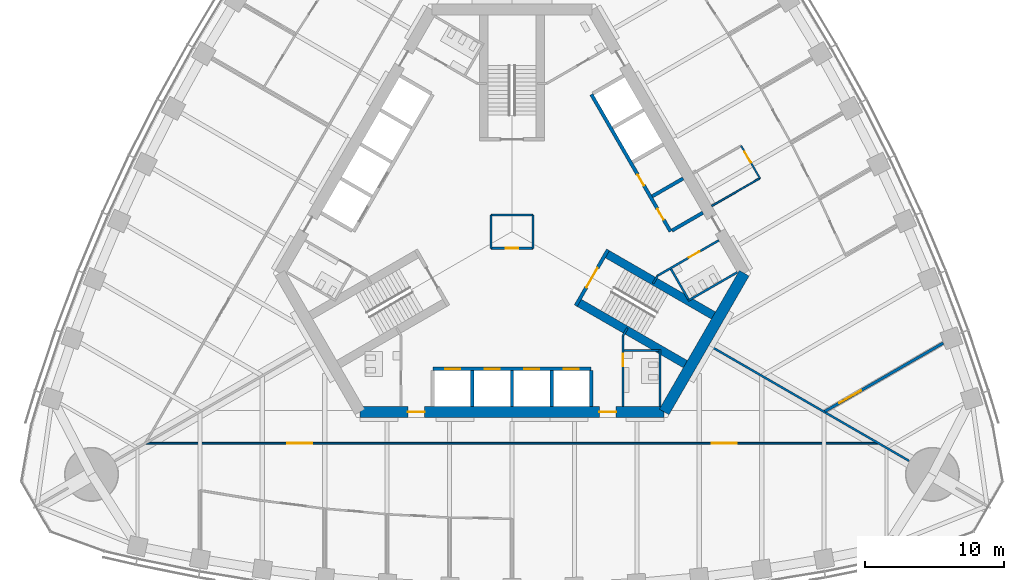
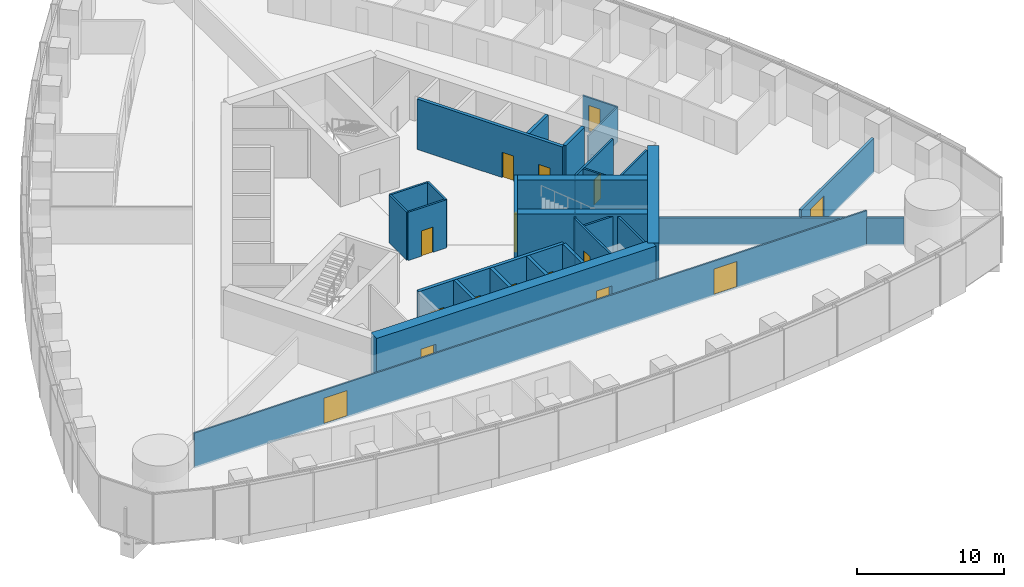
# One storey, part 12 of 19: 30 walls, 16 doors, 16 openings.
"""IFC4 building model written with IfcOpenShell, lengths in metres."""

import ifcopenshell
import ifcopenshell.guid

model = None  # the IFC model being written
_history = None  # IfcOwnerHistory: only IFC2X3 demands one
_inside = {}  # id of a spatial element -> (the spatial element, [elements in it])
_under = {}  # id of a project, library or spatial element -> (it, [spatial elements below it])
_declared = {}  # id of a project -> (the project, [libraries it declares])
_typed = {}  # id of a type object -> (the type object, [elements of that type])
_made_of = {}  # id of a material, layer set ... -> (it, [elements and type objects made of it])


def new_model(schema):
    """Start an empty IFC model of exactly this schema.

    Asked for "IFC4X3", IfcOpenShell would pick the latest addendum, in which some entities
    have other attributes; the version numbers below select the first issue.
    IFC2X3 requires an IfcOwnerHistory on every rooted entity: one is made here for all.
    """
    global model, _history
    if schema == "IFC4X3":
        model = ifcopenshell.file(schema_version=(4, 3, 0, 0))
    else:
        model = ifcopenshell.file(schema=schema)
    _inside.clear()
    _under.clear()
    _declared.clear()
    _typed.clear()
    _made_of.clear()
    _history = None
    if model.schema == "IFC2X3":
        org = make("IfcOrganization", Name="unknown")
        user = make(
            "IfcPersonAndOrganization",
            ThePerson=make("IfcPerson", FamilyName="unknown"),
            TheOrganization=org,
        )
        app = make(
            "IfcApplication",
            ApplicationDeveloper=org,
            Version="unknown",
            ApplicationFullName="unknown",
            ApplicationIdentifier="unknown",
        )
        _history = make(
            "IfcOwnerHistory",
            OwningUser=user,
            OwningApplication=app,
            ChangeAction="ADDED",
            CreationDate=0,
        )
    return model


def make(cls, **values):
    """One entity of the class cls with the attributes given. An attribute that is None is left unset."""
    return model.create_entity(
        cls, **{name: value for name, value in values.items() if value is not None}
    )


def rooted(cls, **values):
    """An entity with a GlobalId (a new one), such as an element, a storey or a relation."""
    return make(cls, GlobalId=ifcopenshell.guid.new(), OwnerHistory=_history, **values)


def si_unit(unit_type, name, prefix=None):
    """IfcSIUnit, for example si_unit("LENGTHUNIT", "METRE", prefix="MILLI")."""
    return make("IfcSIUnit", UnitType=unit_type, Prefix=prefix, Name=name)


def assignment(units):
    """IfcUnitAssignment: the units of a project."""
    return None if units is None else make("IfcUnitAssignment", Units=units)


def point(xyz):
    """IfcCartesianPoint."""
    return None if xyz is None else make("IfcCartesianPoint", Coordinates=xyz)


def direction(xyz):
    """IfcDirection."""
    return None if xyz is None else make("IfcDirection", DirectionRatios=xyz)


def frame(location, z_axis=None, x_axis=None):
    """IfcAxis2Placement3D, a coordinate frame: its origin and axes. An axis left out is left unset."""
    return make(
        "IfcAxis2Placement3D",
        Location=point(location),
        Axis=direction(z_axis),
        RefDirection=direction(x_axis),
    )


def frame_2d(location, x_axis=None):
    """IfcAxis2Placement2D, a coordinate frame in the plane: its origin and x axis."""
    return make(
        "IfcAxis2Placement2D", Location=point(location), RefDirection=direction(x_axis)
    )


def origin():
    """The frame at (0, 0, 0) with its axes left unset."""
    return frame((0.0, 0.0, 0.0))


def place(relative_to, where):
    """IfcLocalPlacement: puts the frame where relative to a parent placement (None: the world)."""
    return make(
        "IfcLocalPlacement", PlacementRelTo=relative_to, RelativePlacement=where
    )


def context(
    kind, dimensions, precision=None, world=None, true_north=None, identifier=None
):
    """IfcGeometricRepresentationContext, for example the 3D "Model" context."""
    return make(
        "IfcGeometricRepresentationContext",
        ContextIdentifier=identifier,
        ContextType=kind,
        CoordinateSpaceDimension=dimensions,
        Precision=precision,
        WorldCoordinateSystem=world,
        TrueNorth=true_north,
    )


def subcontext(parent, identifier, kind, view, scale=None):
    """IfcGeometricRepresentationSubContext, for example "Body" below "Model"."""
    return make(
        "IfcGeometricRepresentationSubContext",
        ContextIdentifier=identifier,
        ContextType=kind,
        ParentContext=parent,
        TargetScale=scale,
        TargetView=view,
    )


def project(units=None, contexts=None):
    """IfcProject with its units and contexts."""
    return rooted(
        "IfcProject",
        Name="project",
        RepresentationContexts=contexts,
        UnitsInContext=assignment(units),
    )


def spatial(cls, under=None, at=None, **own):
    """A site, building, storey or space (cls), placed at a placement, below another one or the project."""
    s = rooted(cls, ObjectPlacement=at, **own)
    if under is not None:
        _under.setdefault(under.id(), (under, []))[1].append(s)
    return s


def profile(cls, at=None, kind="AREA", **sizes):
    """A parametric profile (cls). Its sizes go by their IFC names, for example OverallWidth=200.0."""
    return make(cls, ProfileType=kind, Position=at, **sizes)


def rectangle(**sizes):
    """IfcRectangleProfileDef."""
    return profile("IfcRectangleProfileDef", **sizes)


def extrude(swept, where, along, depth):
    """IfcExtrudedAreaSolid: the profile swept, set in the frame where, extruded along a direction by depth."""
    return make(
        "IfcExtrudedAreaSolid",
        SweptArea=swept,
        Position=where,
        ExtrudedDirection=direction(along),
        Depth=depth,
    )


def shape(context_of_items, identifier, shape_type, items):
    """IfcShapeRepresentation: the items that make up one representation, for example the "Body"."""
    return make(
        "IfcShapeRepresentation",
        ContextOfItems=context_of_items,
        RepresentationIdentifier=identifier,
        RepresentationType=shape_type,
        Items=items,
    )


def material(Name=None, Category=None):
    """IfcMaterial."""
    return make("IfcMaterial", Name=Name, Category=Category)


def layer(
    of_material, thickness, ventilated=None, Name=None, Category=None, Priority=None
):
    """IfcMaterialLayer: one layer of a wall or slab, of a material (None: an air gap)."""
    return make(
        "IfcMaterialLayer",
        Material=of_material,
        LayerThickness=thickness,
        IsVentilated=ventilated,
        Name=Name,
        Category=Category,
        Priority=Priority,
    )


def layer_set(layers, Name=None):
    """IfcMaterialLayerSet."""
    return make("IfcMaterialLayerSet", MaterialLayers=layers, LayerSetName=Name)


def made_of(thing, what):
    """Note that an element or type object is made of a material, layer set ...; save() writes the relation."""
    if what is not None:
        _made_of.setdefault(what.id(), (what, []))[1].append(thing)
    return thing


def type_object(cls, material=None, **own):
    """A type object (cls), such as IfcWallType, which elements share."""
    return made_of(rooted(cls, **own), material)


def element(
    cls,
    number,
    at=None,
    inside=None,
    cuts=None,
    type_object=None,
    material=None,
    context=None,
    identifier="Body",
    shape_type=None,
    held_by="IfcProductDefinitionShape",
    body=None,
    shapes=None,
    **own,
):
    """One element of the class cls, such as IfcWall. Its Tag is "e" and its number.

    at: its placement. inside: the storey or other place that contains it. cuts: it is an
    opening in that element (IfcRelVoidsElement). A single representation is given by context,
    identifier, shape_type and body (its items); several are given by shapes. held_by: the class
    of the entity that holds the representations. save() writes the other relations.
    """
    e = rooted(cls, Tag="e%d" % number, ObjectPlacement=at, **own)
    if body is not None:
        shapes = [shape(context, identifier, shape_type, body)]
    if shapes is not None:
        e.Representation = make(held_by, Representations=shapes)
    if inside is not None:
        _inside.setdefault(inside.id(), (inside, []))[1].append(e)
    if cuts is not None:
        rooted(
            "IfcRelVoidsElement", RelatingBuildingElement=cuts, RelatedOpeningElement=e
        )
    if type_object is not None:
        _typed.setdefault(type_object.id(), (type_object, []))[1].append(e)
    return made_of(e, material)


def fill(opening, filler):
    """IfcRelFillsElement: the door or window that sits in an opening."""
    return rooted(
        "IfcRelFillsElement",
        RelatingOpeningElement=opening,
        RelatedBuildingElement=filler,
    )


def aggregate(whole, parts):
    """IfcRelAggregates: a whole, such as a stair, and the parts it consists of."""
    return rooted("IfcRelAggregates", RelatingObject=whole, RelatedObjects=parts)


def save(model, path):
    """Write the relations noted so far, then the file.

    IfcRelAggregates (storeys below a building ...), IfcRelContainedInSpatialStructure (elements
    in a storey), IfcRelDefinesByType, IfcRelAssociatesMaterial and IfcRelDeclares: one each for
    every whole, place, type object, material and project.
    """
    for whole, parts in _under.values():
        aggregate(whole, parts)
    for where, things in _inside.values():
        rooted(
            "IfcRelContainedInSpatialStructure",
            RelatedElements=things,
            RelatingStructure=where,
        )
    for kind, things in _typed.values():
        rooted("IfcRelDefinesByType", RelatedObjects=things, RelatingType=kind)
    for what, things in _made_of.values():
        rooted("IfcRelAssociatesMaterial", RelatedObjects=things, RelatingMaterial=what)
    for by, libraries in _declared.values():
        rooted("IfcRelDeclares", RelatingContext=by, RelatedDefinitions=libraries)
    model.write(path)


model = new_model("IFC4")

# Units and contexts
model_context = context("Model", 3, precision=1e-05, world=origin(), true_north=direction((0.0, 1.0)))
body_context = subcontext(model_context, "Body", "Model", "MODEL_VIEW")
ifc_project = project(units=[si_unit("LENGTHUNIT", "METRE"), si_unit("AREAUNIT", "SQUARE_METRE"), si_unit("VOLUMEUNIT", "CUBIC_METRE"), si_unit("PLANEANGLEUNIT", "RADIAN"), si_unit("MASSUNIT", "GRAM", prefix="KILO")], contexts=[model_context])

# Site, building, storey
site_placement = place(None, origin())
site = spatial("IfcSite", under=ifc_project, at=site_placement, CompositionType="ELEMENT")
building_placement = place(site_placement, origin())
building = spatial("IfcBuilding", under=site, at=building_placement, Name="Trefoil Bronze Tower", CompositionType="ELEMENT")
storey_placement = place(building_placement, frame((0.0, 0.0, 136.699951171875)))
storey = spatial("IfcBuildingStorey", under=building, at=storey_placement, Name="L31", CompositionType="ELEMENT", Elevation=136.699951171875)

# Wall, opening, door
ifc_material_1 = material(Name="Gypsum board on steel studs", Category="steel")
ifc_layer_1 = layer(ifc_material_1, 0.199951171875)
ifc_layer_set_1 = layer_set([ifc_layer_1], Name="Acoustic partition 200")
wall_type_1 = type_object("IfcWallType", Name="Acoustic partition 200", PredefinedType="PARTITIONING", material=ifc_layer_set_1)
wall_1_placement = place(storey_placement, frame((22.552978515625, -12.959716796875, 0.0), z_axis=(0.0, 0.0, 1.0), x_axis=(0.86603204091, 0.499988503985, 0.0)))
wall_1 = element("IfcWall", 1, at=wall_1_placement, inside=storey, type_object=wall_type_1, Name="Partition F2 L31", PredefinedType="PARTITIONING", context=body_context, shape_type="SweptSolid", body=[
    extrude(rectangle(XDim=9.849853515625, YDim=0.199951171875, at=frame_2d((4.9248046875, 0.0))), origin(), (0.0, 0.0, 1.0), 2.900146484375),
])
opening_1_placement = place(wall_1_placement, frame((1.199951171875, 0.0, 0.14990234375)))
opening_1 = element("IfcOpeningElement", 2, at=opening_1_placement, cuts=wall_1, Name="Opening D10", PredefinedType="OPENING", context=body_context, shape_type="SweptSolid", body=[
    extrude(rectangle(XDim=1.800048828125, YDim=2.10009765625, at=frame_2d((0.89990234375, 1.050048828125))), frame((0.0, 0.10986328125, 0.0), z_axis=(0.0, -1.0, 0.0), x_axis=(1.0, 0.0, 0.0)), (0.0, 0.0, 1.0), 0.219970703125),
])
ifc_material_2 = material(Name="Timber door", Category="wood")
door_type_1 = type_object("IfcDoorType", Name="Double door 1800", OperationType="DOUBLE_DOOR_SINGLE_SWING", PredefinedType="DOOR", material=ifc_material_2)
door_1_placement = place(opening_1_placement, frame((1.800048828125, 0.0, 0.0), z_axis=(0.0, 0.0, 1.0), x_axis=(-1.0, 0.0, 0.0)))
door_1 = element("IfcDoor", 3, at=door_1_placement, inside=storey, type_object=door_type_1, Name="Boardroom door F2 L31", OperationType="DOUBLE_DOOR_SINGLE_SWING", OverallHeight=2.10009765625, OverallWidth=1.800048828125, PredefinedType="DOOR", context=body_context, shape_type="SweptSolid", body=[
    extrude(rectangle(XDim=1.800048828125, YDim=2.10009765625, at=frame_2d((0.89990234375, 1.050048828125))), frame((0.0, 0.02490234375, 0.0), z_axis=(0.0, -1.0, 0.0), x_axis=(1.0, 0.0, 0.0)), (0.0, 0.0, 1.0), 0.050048828125),
])
fill(opening_1, door_1)

# Wall, openings, doors
ifc_material_3 = material(Name="Concrete B80", Category="concrete")
ifc_layer_2 = layer(ifc_material_3, 0.800048828125)
ifc_layer_set_2 = layer_set([ifc_layer_2], Name="Core wall 800")
wall_type_2 = type_object("IfcWallType", Name="Core wall 800", PredefinedType="SHEAR", material=ifc_layer_set_2)
wall_2_placement = place(storey_placement, frame((-10.9697265625, -13.0, 0.0), z_axis=(0.0, 0.0, 1.0), x_axis=(1.0, 0.0, 0.0)))
wall_2 = element("IfcWall", 4, at=wall_2_placement, inside=storey, type_object=wall_type_2, Name="Core long wall 1 L31", PredefinedType="SHEAR", context=body_context, shape_type="SweptSolid", body=[
    extrude(rectangle(XDim=21.939453125, YDim=0.800048828125, at=frame_2d((10.9697265625, 0.0))), origin(), (0.0, 0.0, 1.0), 4.199951171875),
])
opening_2_placement = place(wall_2_placement, frame((17.269775390625, 0.0, 0.0)))
opening_2 = element("IfcOpeningElement", 5, at=opening_2_placement, cuts=wall_2, Name="Opening D2", PredefinedType="OPENING", context=body_context, shape_type="SweptSolid", body=[
    extrude(rectangle(XDim=1.199951171875, YDim=2.10009765625, at=frame_2d((0.60009765625, 1.050048828125))), frame((0.0, 0.409912109375, 0.0), z_axis=(0.0, -1.0, 0.0), x_axis=(1.0, 0.0, 0.0)), (0.0, 0.0, 1.0), 0.820068359375),
])
opening_3_placement = place(wall_2_placement, frame((3.4697265625, 0.0, 0.0)))
opening_3 = element("IfcOpeningElement", 6, at=opening_3_placement, cuts=wall_2, Name="Opening D2", PredefinedType="OPENING", context=body_context, shape_type="SweptSolid", body=[
    extrude(rectangle(XDim=1.199951171875, YDim=2.10009765625, at=frame_2d((0.60009765625, 1.050048828125))), frame((0.0, 0.409912109375, 0.0), z_axis=(0.0, -1.0, 0.0), x_axis=(1.0, 0.0, 0.0)), (0.0, 0.0, 1.0), 0.820068359375),
])
ifc_material_4 = material(Name="Steel door", Category="steel")
door_type_2 = type_object("IfcDoorType", Name="Lobby door 1200", OperationType="SINGLE_SWING_RIGHT", PredefinedType="DOOR", material=ifc_material_4)
door_2_placement = place(opening_2_placement, origin())
door_2 = element("IfcDoor", 7, at=door_2_placement, inside=storey, type_object=door_type_2, Name="Lobby door F1+ L31", OperationType="SINGLE_SWING_RIGHT", OverallHeight=2.10009765625, OverallWidth=1.199951171875, PredefinedType="DOOR", context=body_context, shape_type="SweptSolid", body=[
    extrude(rectangle(XDim=1.199951171875, YDim=2.10009765625, at=frame_2d((0.60009765625, 1.050048828125))), frame((0.0, 0.02490234375, 0.0), z_axis=(0.0, -1.0, 0.0), x_axis=(1.0, 0.0, 0.0)), (0.0, 0.0, 1.0), 0.050048828125),
])
fill(opening_2, door_2)
door_3_placement = place(opening_3_placement, origin())
door_3 = element("IfcDoor", 8, at=door_3_placement, inside=storey, type_object=door_type_2, Name="Lobby door F1- L31", OperationType="SINGLE_SWING_LEFT", OverallHeight=2.10009765625, OverallWidth=1.199951171875, PredefinedType="DOOR", context=body_context, shape_type="SweptSolid", body=[
    extrude(rectangle(XDim=1.199951171875, YDim=2.10009765625, at=frame_2d((0.60009765625, 1.050048828125))), frame((0.0, 0.02490234375, 0.0), z_axis=(0.0, -1.0, 0.0), x_axis=(1.0, 0.0, 0.0)), (0.0, 0.0, 1.0), 0.050048828125),
])
fill(opening_3, door_3)

# Wall
wall_3_placement = place(storey_placement, frame((10.9697265625, -13.0, 0.0), z_axis=(0.0, 0.0, 1.0), x_axis=(0.499995765644, 0.866027848477, 0.0)))
element("IfcWall", 9, at=wall_3_placement, inside=storey, type_object=wall_type_2, Name="Core short wall 1 L31", PredefinedType="SHEAR", context=body_context, shape_type="SweptSolid", body=[
    extrude(rectangle(XDim=11.546875, YDim=0.800048828125, at=frame_2d((5.7734375, 0.0))), origin(), (0.0, 0.0, 1.0), 4.199951171875),
])

# Wall, openings, doors
ifc_material_5 = material(Name="Glazed partition", Category="glass")
ifc_layer_3 = layer(ifc_material_5, 0.1201171875)
ifc_layer_set_3 = layer_set([ifc_layer_3], Name="Glazed partition 120")
wall_type_3 = type_object("IfcWallType", Name="Glazed partition 120", PredefinedType="PARTITIONING", material=ifc_layer_set_3)
wall_4_placement = place(storey_placement, frame((-26.398193359375, -15.260009765625, 0.0), z_axis=(0.0, 0.0, 1.0), x_axis=(1.0, 0.0, 0.0)))
wall_4 = element("IfcWall", 10, at=wall_4_placement, inside=storey, type_object=wall_type_3, Name="Partition F1 L31", PredefinedType="PARTITIONING", context=body_context, shape_type="SweptSolid", body=[
    extrude(rectangle(XDim=52.79638671875, YDim=0.1201171875, at=frame_2d((26.398193359375, 0.0))), origin(), (0.0, 0.0, 1.0), 2.900146484375),
])
opening_4_placement = place(wall_4_placement, frame((10.199951171875, 0.0, 0.14990234375)))
opening_4 = element("IfcOpeningElement", 11, at=opening_4_placement, cuts=wall_4, Name="Opening D10", PredefinedType="OPENING", context=body_context, shape_type="SweptSolid", body=[
    extrude(rectangle(XDim=1.800048828125, YDim=2.10009765625, at=frame_2d((0.89990234375, 1.050048828125))), frame((0.0, 0.070068359375, 0.0), z_axis=(0.0, -1.0, 0.0), x_axis=(1.0, 0.0, 0.0)), (0.0, 0.0, 1.0), 0.14013671875),
])
opening_5_placement = place(wall_4_placement, frame((40.800048828125, 0.0, 0.14990234375)))
opening_5 = element("IfcOpeningElement", 12, at=opening_5_placement, cuts=wall_4, Name="Opening D10", PredefinedType="OPENING", context=body_context, shape_type="SweptSolid", body=[
    extrude(rectangle(XDim=1.800048828125, YDim=2.10009765625, at=frame_2d((0.89990234375, 1.050048828125))), frame((0.0, 0.070068359375, 0.0), z_axis=(0.0, -1.0, 0.0), x_axis=(1.0, 0.0, 0.0)), (0.0, 0.0, 1.0), 0.14013671875),
])
door_4_placement = place(opening_4_placement, origin())
door_4 = element("IfcDoor", 13, at=door_4_placement, inside=storey, type_object=door_type_1, Name="Corridor door F1 L31", OperationType="DOUBLE_DOOR_SINGLE_SWING", OverallHeight=2.10009765625, OverallWidth=1.800048828125, PredefinedType="DOOR", context=body_context, shape_type="SweptSolid", body=[
    extrude(rectangle(XDim=1.800048828125, YDim=2.10009765625, at=frame_2d((0.89990234375, 1.050048828125))), frame((0.0, 0.02490234375, 0.0), z_axis=(0.0, -1.0, 0.0), x_axis=(1.0, 0.0, 0.0)), (0.0, 0.0, 1.0), 0.050048828125),
])
fill(opening_4, door_4)
door_5_placement = place(opening_5_placement, origin())
door_5 = element("IfcDoor", 14, at=door_5_placement, inside=storey, type_object=door_type_1, Name="Corridor door F1 L31", OperationType="DOUBLE_DOOR_SINGLE_SWING", OverallHeight=2.10009765625, OverallWidth=1.800048828125, PredefinedType="DOOR", context=body_context, shape_type="SweptSolid", body=[
    extrude(rectangle(XDim=1.800048828125, YDim=2.10009765625, at=frame_2d((0.89990234375, 1.050048828125))), frame((0.0, 0.02490234375, 0.0), z_axis=(0.0, -1.0, 0.0), x_axis=(1.0, 0.0, 0.0)), (0.0, 0.0, 1.0), 0.050048828125),
])
fill(opening_5, door_5)

# Wall, opening, door
wall_5_placement = place(storey_placement, frame((17.868896484375, 3.850341796875, 0.0), z_axis=(0.0, 0.0, 1.0), x_axis=(-0.500048589285, 0.86599734893, 0.0)))
wall_5 = element("IfcWall", 15, at=wall_5_placement, inside=storey, type_object=wall_type_3, Name="Partition F2 L31", PredefinedType="PARTITIONING", context=body_context, shape_type="SweptSolid", body=[
    extrude(rectangle(XDim=2.699951171875, YDim=0.1201171875, at=frame_2d((1.35009765625, 0.0))), origin(), (0.0, 0.0, 1.0), 2.900146484375),
])
opening_6_placement = place(wall_5_placement, frame((1.300048828125, 0.0, 0.14990234375)))
opening_6 = element("IfcOpeningElement", 16, at=opening_6_placement, cuts=wall_5, Name="Opening D8", PredefinedType="OPENING", context=body_context, shape_type="SweptSolid", body=[
    extrude(rectangle(XDim=0.89990234375, YDim=2.10009765625, at=frame_2d((0.449951171875, 1.050048828125))), frame((0.0, 0.070068359375, 0.0), z_axis=(0.0, -1.0, 0.0), x_axis=(1.0, 0.0, 0.0)), (0.0, 0.0, 1.0), 0.14013671875),
])
ifc_material_6 = material(Name="Timber door", Category="wood")
door_type_3 = type_object("IfcDoorType", Name="Office door 900", OperationType="SINGLE_SWING_LEFT", PredefinedType="DOOR", material=ifc_material_6)
door_6_placement = place(opening_6_placement, origin())
door_6 = element("IfcDoor", 17, at=door_6_placement, inside=storey, type_object=door_type_3, Name="Pantry door F2 L31", OperationType="SINGLE_SWING_RIGHT", OverallHeight=2.10009765625, OverallWidth=0.89990234375, PredefinedType="DOOR", context=body_context, shape_type="SweptSolid", body=[
    extrude(rectangle(XDim=0.89990234375, YDim=2.10009765625, at=frame_2d((0.449951171875, 1.050048828125))), frame((0.0, 0.02490234375, 0.0), z_axis=(0.0, -1.0, 0.0), x_axis=(1.0, 0.0, 0.0)), (0.0, 0.0, 1.0), 0.050048828125),
])
fill(opening_6, door_6)

# Wall
wall_6_placement = place(storey_placement, frame((14.40478515625, 1.850341796875, 0.0), z_axis=(0.0, 0.0, 1.0), x_axis=(0.866026010844, 0.49999894854, 0.0)))
element("IfcWall", 18, at=wall_6_placement, inside=storey, type_object=wall_type_3, Name="Partition F2 L31", PredefinedType="PARTITIONING", context=body_context, shape_type="SweptSolid", body=[
    extrude(rectangle(XDim=4.0, YDim=0.1201171875, at=frame_2d((2.0, 0.0))), origin(), (0.0, 0.0, 1.0), 2.900146484375),
])

# Wall, opening, door
ifc_material_7 = material(Name="Gypsum board on steel studs", Category="steel")
ifc_layer_4 = layer(ifc_material_7, 0.14990234375)
ifc_layer_set_4 = layer_set([ifc_layer_4], Name="Partition 150")
wall_type_4 = type_object("IfcWallType", Name="Partition 150", PredefinedType="PARTITIONING", material=ifc_layer_set_4)
wall_7_placement = place(storey_placement, frame((8.0, -7.5, 0.0), z_axis=(0.0, 0.0, 1.0), x_axis=(0.0, -1.0, 0.0)))
wall_7 = element("IfcWall", 19, at=wall_7_placement, inside=storey, type_object=wall_type_4, Name="Passage wall F1+ L31", PredefinedType="PARTITIONING", context=body_context, shape_type="SweptSolid", body=[
    extrude(rectangle(XDim=5.10009765625, YDim=0.14990234375, at=frame_2d((2.550048828125, 0.0))), origin(), (0.0, 0.0, 1.0), 4.0),
])
opening_7_placement = place(wall_7_placement, frame((1.300048828125, 0.0, 0.0)))
opening_7 = element("IfcOpeningElement", 20, at=opening_7_placement, cuts=wall_7, Name="Opening D3", PredefinedType="OPENING", context=body_context, shape_type="SweptSolid", body=[
    extrude(rectangle(XDim=0.89990234375, YDim=2.10009765625, at=frame_2d((0.449951171875, 1.050048828125))), frame((0.0, 0.0849609375, 0.0), z_axis=(0.0, -1.0, 0.0), x_axis=(1.0, 0.0, 0.0)), (0.0, 0.0, 1.0), 0.169921875),
])
ifc_material_8 = material(Name="Timber door", Category="wood")
door_type_4 = type_object("IfcDoorType", Name="WC door 900", OperationType="SINGLE_SWING_LEFT", PredefinedType="DOOR", material=ifc_material_8)
door_7_placement = place(opening_7_placement, origin())
door_7 = element("IfcDoor", 21, at=door_7_placement, inside=storey, type_object=door_type_4, Name="WC (men) door L31", OperationType="SINGLE_SWING_LEFT", OverallHeight=2.10009765625, OverallWidth=0.89990234375, PredefinedType="DOOR", context=body_context, shape_type="SweptSolid", body=[
    extrude(rectangle(XDim=0.89990234375, YDim=2.10009765625, at=frame_2d((0.449951171875, 1.050048828125))), frame((0.0, 0.02490234375, 0.0), z_axis=(0.0, -1.0, 0.0), x_axis=(1.0, 0.0, 0.0)), (0.0, 0.0, 1.0), 0.050048828125),
])
fill(opening_7, door_7)

wall_8_placement = place(storey_placement, frame((10.4951171875, -3.17822265625, 0.0), z_axis=(0.0, 0.0, 1.0), x_axis=(0.86602216432, 0.500005610874, 0.0)))
wall_8 = element("IfcWall", 22, at=wall_8_placement, inside=storey, type_object=wall_type_4, Name="Passage wall F2- L31", PredefinedType="PARTITIONING", context=body_context, shape_type="SweptSolid", body=[
    extrude(rectangle(XDim=5.10009765625, YDim=0.14990234375, at=frame_2d((2.550048828125, 0.0))), origin(), (0.0, 0.0, 1.0), 4.0),
])
opening_8_placement = place(wall_8_placement, frame((2.60009765625, 0.0, 0.0)))
opening_8 = element("IfcOpeningElement", 23, at=opening_8_placement, cuts=wall_8, Name="Opening D3", PredefinedType="OPENING", context=body_context, shape_type="SweptSolid", body=[
    extrude(rectangle(XDim=0.89990234375, YDim=2.10009765625, at=frame_2d((0.449951171875, 1.050048828125))), frame((0.0, 0.0849609375, 0.0), z_axis=(0.0, -1.0, 0.0), x_axis=(1.0, 0.0, 0.0)), (0.0, 0.0, 1.0), 0.169921875),
])
door_8_placement = place(opening_8_placement, frame((0.89990234375, 0.0, 0.0), z_axis=(0.0, 0.0, 1.0), x_axis=(-1.0, 0.0, 0.0)))
door_8 = element("IfcDoor", 24, at=door_8_placement, inside=storey, type_object=door_type_4, Name="WC (women) door L31", OperationType="SINGLE_SWING_RIGHT", OverallHeight=2.10009765625, OverallWidth=0.89990234375, PredefinedType="DOOR", context=body_context, shape_type="SweptSolid", body=[
    extrude(rectangle(XDim=0.89990234375, YDim=2.10009765625, at=frame_2d((0.449951171875, 1.050048828125))), frame((0.0, 0.02490234375, 0.0), z_axis=(0.0, -1.0, 0.0), x_axis=(1.0, 0.0, 0.0)), (0.0, 0.0, 1.0), 0.050048828125),
])
fill(opening_8, door_8)

# Walls
for number, where, z_axis, x_axis, name in (
    (25, (8.0, -7.5, 0.0), (0.0, 0.0, 1.0), (0.499842556608, 0.866116284689, 0.0), "WC wall ST1-1 L31"),
    (26, (10.4951171875, -3.17822265625, 0.0), (0.0, 0.0, 1.0), (-0.499842556608, -0.866116284689, 0.0), "WC wall ST1+1 L31"),
):
    element("IfcWall", number, at=place(storey_placement, frame(where, z_axis=z_axis, x_axis=x_axis)), inside=storey, type_object=wall_type_4, Name=name, PredefinedType="PARTITIONING", context=body_context, shape_type="SweptSolid", body=[
        extrude(rectangle(XDim=0.645263671875, YDim=0.14990234375, at=frame_2d((0.32275390625, 0.0))), origin(), (0.0, 0.0, 1.0), 4.0),
    ])
wall_9_placement = place(storey_placement, frame((10.659912109375, -8.5, 0.0), z_axis=(0.0, 0.0, 1.0), x_axis=(0.0, -1.0, 0.0)))
element("IfcWall", 27, at=wall_9_placement, inside=storey, type_object=wall_type_4, Name="WC partition WC (men) L31", PredefinedType="PARTITIONING", context=body_context, shape_type="SweptSolid", body=[
    extrude(rectangle(XDim=4.10009765625, YDim=0.14990234375, at=frame_2d((2.050048828125, 0.0))), origin(), (0.0, 0.0, 1.0), 4.0),
])
wall_10_placement = place(storey_placement, frame((8.074951171875, -8.574951171875, 0.0), z_axis=(0.0, 0.0, 1.0), x_axis=(1.0, 0.0, 0.0)))
element("IfcWall", 28, at=wall_10_placement, inside=storey, type_object=wall_type_4, Name="WC partition WC (men) L31", PredefinedType="PARTITIONING", context=body_context, shape_type="SweptSolid", body=[
    extrude(rectangle(XDim=2.510009765625, YDim=0.14990234375, at=frame_2d((1.2548828125, 0.0))), origin(), (0.0, 0.0, 1.0), 4.0),
])
wall_11_placement = place(storey_placement, frame((12.691162109375, -4.98193359375, 0.0), z_axis=(0.0, 0.0, 1.0), x_axis=(0.8660249478, 0.500000789788, 0.0)))
element("IfcWall", 29, at=wall_11_placement, inside=storey, type_object=wall_type_4, Name="WC partition WC (women) L31", PredefinedType="PARTITIONING", context=body_context, shape_type="SweptSolid", body=[
    extrude(rectangle(XDim=4.10009765625, YDim=0.14990234375, at=frame_2d((2.050048828125, 0.0))), origin(), (0.0, 0.0, 1.0), 4.0),
])
wall_12_placement = place(storey_placement, frame((11.463623046875, -2.70556640625, 0.0), z_axis=(0.0, 0.0, 1.0), x_axis=(0.50001992892, -0.866013897511, 0.0)))
element("IfcWall", 30, at=wall_12_placement, inside=storey, type_object=wall_type_4, Name="WC partition WC (women) L31", PredefinedType="PARTITIONING", context=body_context, shape_type="SweptSolid", body=[
    extrude(rectangle(XDim=2.51025390625, YDim=0.14990234375, at=frame_2d((1.255126953125, 0.0))), origin(), (0.0, 0.0, 1.0), 4.0),
])
ifc_material_9 = material(Name="Gypsum board on steel studs", Category="steel")
ifc_layer_5 = layer(ifc_material_9, 0.14990234375)
ifc_layer_set_5 = layer_set([ifc_layer_5], Name="Party wall 150")
wall_type_5 = type_object("IfcWallType", Name="Party wall 150", PredefinedType="PARTITIONING", material=ifc_layer_set_5)
wall_13_placement = place(storey_placement, frame((14.202880859375, -8.199951171875, 0.0), z_axis=(0.0, 0.0, 1.0), x_axis=(0.866024668836, -0.500001272966, 0.0)))
element("IfcWall", 31, at=wall_13_placement, inside=storey, type_object=wall_type_5, Name="Party wall K1 L31", PredefinedType="PARTITIONING", context=body_context, shape_type="SweptSolid", body=[
    extrude(rectangle(XDim=16.64990234375, YDim=0.14990234375, at=frame_2d((8.324951171875, 0.0))), origin(), (0.0, 0.0, 1.0), 2.300048828125),
])

# Wall, opening, door
ifc_material_10 = material(Name="Gypsum board on steel studs", Category="steel")
ifc_layer_6 = layer(ifc_material_10, 0.14990234375)
ifc_layer_set_6 = layer_set([ifc_layer_6], Name="Riser wall 150")
wall_type_6 = type_object("IfcWallType", Name="Riser wall 150", PredefinedType="PARTITIONING", material=ifc_layer_set_6)
wall_14_placement = place(storey_placement, frame((-1.5, -1.199951171875, 0.0), z_axis=(0.0, 0.0, 1.0), x_axis=(1.0, 0.0, 0.0)))
wall_14 = element("IfcWall", 32, at=wall_14_placement, inside=storey, type_object=wall_type_6, Name="Riser wall L31", PredefinedType="PARTITIONING", context=body_context, shape_type="SweptSolid", body=[
    extrude(rectangle(XDim=3.0, YDim=0.14990234375, at=frame_2d((1.5, 0.0))), origin(), (0.0, 0.0, 1.0), 4.0),
])
opening_9_placement = place(wall_14_placement, frame((1.050048828125, 0.0, 0.0)))
opening_9 = element("IfcOpeningElement", 33, at=opening_9_placement, cuts=wall_14, Name="Opening D4", PredefinedType="OPENING", context=body_context, shape_type="SweptSolid", body=[
    extrude(rectangle(XDim=0.89990234375, YDim=2.10009765625, at=frame_2d((0.449951171875, 1.050048828125))), frame((0.0, 0.0849609375, 0.0), z_axis=(0.0, -1.0, 0.0), x_axis=(1.0, 0.0, 0.0)), (0.0, 0.0, 1.0), 0.169921875),
])
ifc_material_11 = material(Name="Steel door", Category="steel")
door_type_5 = type_object("IfcDoorType", Name="Riser door 900", OperationType="SINGLE_SWING_LEFT", PredefinedType="DOOR", material=ifc_material_11)
door_9_placement = place(opening_9_placement, frame((0.89990234375, 0.0, 0.0), z_axis=(0.0, 0.0, 1.0), x_axis=(-1.0, 0.0, 0.0)))
door_9 = element("IfcDoor", 34, at=door_9_placement, inside=storey, type_object=door_type_5, Name="Riser door L31", OperationType="SINGLE_SWING_LEFT", OverallHeight=2.10009765625, OverallWidth=0.89990234375, PredefinedType="DOOR", context=body_context, shape_type="SweptSolid", body=[
    extrude(rectangle(XDim=0.89990234375, YDim=2.10009765625, at=frame_2d((0.449951171875, 1.050048828125))), frame((0.0, 0.02490234375, 0.0), z_axis=(0.0, -1.0, 0.0), x_axis=(1.0, 0.0, 0.0)), (0.0, 0.0, 1.0), 0.050048828125),
])
fill(opening_9, door_9)

# Walls
wall_15_placement = place(storey_placement, frame((1.5, -1.199951171875, 0.0), z_axis=(0.0, 0.0, 1.0), x_axis=(0.0, 1.0, 0.0)))
element("IfcWall", 35, at=wall_15_placement, inside=storey, type_object=wall_type_6, Name="Riser wall L31", PredefinedType="PARTITIONING", context=body_context, shape_type="SweptSolid", body=[
    extrude(rectangle(XDim=2.39990234375, YDim=0.14990234375, at=frame_2d((1.199951171875, 0.0))), origin(), (0.0, 0.0, 1.0), 4.0),
])
wall_16_placement = place(storey_placement, frame((1.5, 1.199951171875, 0.0), z_axis=(0.0, 0.0, 1.0), x_axis=(-1.0, 0.0, 0.0)))
element("IfcWall", 36, at=wall_16_placement, inside=storey, type_object=wall_type_6, Name="Riser wall L31", PredefinedType="PARTITIONING", context=body_context, shape_type="SweptSolid", body=[
    extrude(rectangle(XDim=3.0, YDim=0.14990234375, at=frame_2d((1.5, 0.0))), origin(), (0.0, 0.0, 1.0), 4.0),
])
wall_17_placement = place(storey_placement, frame((-1.5, 1.199951171875, 0.0), z_axis=(0.0, 0.0, 1.0), x_axis=(0.0, -1.0, 0.0)))
element("IfcWall", 37, at=wall_17_placement, inside=storey, type_object=wall_type_6, Name="Riser wall L31", PredefinedType="PARTITIONING", context=body_context, shape_type="SweptSolid", body=[
    extrude(rectangle(XDim=2.39990234375, YDim=0.14990234375, at=frame_2d((1.199951171875, 0.0))), origin(), (0.0, 0.0, 1.0), 4.0),
])

# Wall, openings, doors
ifc_material_12 = material(Name="Concrete B80", Category="concrete")
ifc_layer_7 = layer(ifc_material_12, 0.25)
ifc_layer_set_7 = layer_set([ifc_layer_7], Name="Shaft wall 250")
wall_type_7 = type_object("IfcWallType", Name="Shaft wall 250", PredefinedType="SHEAR", material=ifc_layer_set_7)
wall_18_placement = place(storey_placement, frame((-5.699951171875, -9.89990234375, 0.0), z_axis=(0.0, 0.0, 1.0), x_axis=(1.0, 0.0, 0.0)))
wall_18 = element("IfcWall", 38, at=wall_18_placement, inside=storey, type_object=wall_type_7, Name="Lift shaft front wall A L31", PredefinedType="SHEAR", context=body_context, shape_type="SweptSolid", body=[
    extrude(rectangle(XDim=11.39990234375, YDim=0.25, at=frame_2d((5.699951171875, 0.0))), origin(), (0.0, 0.0, 1.0), 4.199951171875),
])
opening_10_placement = place(wall_18_placement, frame((0.875, 0.0, 0.0)))
opening_10 = element("IfcOpeningElement", 39, at=opening_10_placement, cuts=wall_18, Name="Opening LD-P21", PredefinedType="OPENING", context=body_context, shape_type="SweptSolid", body=[
    extrude(rectangle(XDim=1.10009765625, YDim=2.199951171875, at=frame_2d((0.550048828125, 1.10009765625))), frame((0.0, 0.135009765625, 0.0), z_axis=(0.0, -1.0, 0.0), x_axis=(1.0, 0.0, 0.0)), (0.0, 0.0, 1.0), 0.27001953125),
])
opening_11_placement = place(wall_18_placement, frame((3.72509765625, 0.0, 0.0)))
opening_11 = element("IfcOpeningElement", 40, at=opening_11_placement, cuts=wall_18, Name="Opening LD-P22", PredefinedType="OPENING", context=body_context, shape_type="SweptSolid", body=[
    extrude(rectangle(XDim=1.10009765625, YDim=2.199951171875, at=frame_2d((0.550048828125, 1.10009765625))), frame((0.0, 0.135009765625, 0.0), z_axis=(0.0, -1.0, 0.0), x_axis=(1.0, 0.0, 0.0)), (0.0, 0.0, 1.0), 0.27001953125),
])
opening_12_placement = place(wall_18_placement, frame((6.574951171875, 0.0, 0.0)))
opening_12 = element("IfcOpeningElement", 41, at=opening_12_placement, cuts=wall_18, Name="Opening LD-P23", PredefinedType="OPENING", context=body_context, shape_type="SweptSolid", body=[
    extrude(rectangle(XDim=1.10009765625, YDim=2.199951171875, at=frame_2d((0.550048828125, 1.10009765625))), frame((0.0, 0.135009765625, 0.0), z_axis=(0.0, -1.0, 0.0), x_axis=(1.0, 0.0, 0.0)), (0.0, 0.0, 1.0), 0.27001953125),
])
opening_13_placement = place(wall_18_placement, frame((9.425048828125, 0.0, 0.0)))
opening_13 = element("IfcOpeningElement", 42, at=opening_13_placement, cuts=wall_18, Name="Opening LD-P24", PredefinedType="OPENING", context=body_context, shape_type="SweptSolid", body=[
    extrude(rectangle(XDim=1.10009765625, YDim=2.199951171875, at=frame_2d((0.550048828125, 1.10009765625))), frame((0.0, 0.135009765625, 0.0), z_axis=(0.0, -1.0, 0.0), x_axis=(1.0, 0.0, 0.0)), (0.0, 0.0, 1.0), 0.27001953125),
])
ifc_material_13 = material(Name="Steel door", Category="steel")
door_type_6 = type_object("IfcDoorType", Name="Lift landing door 1100", OperationType="DOUBLE_DOOR_SLIDING", PredefinedType="DOOR", material=ifc_material_13)
door_10_placement = place(opening_10_placement, origin())
door_10 = element("IfcDoor", 43, at=door_10_placement, inside=storey, type_object=door_type_6, Name="Lift P21 landing door L31", OperationType="DOUBLE_DOOR_SLIDING", OverallHeight=2.199951171875, OverallWidth=1.10009765625, PredefinedType="DOOR", context=body_context, shape_type="SweptSolid", body=[
    extrude(rectangle(XDim=1.10009765625, YDim=2.199951171875, at=frame_2d((0.550048828125, 1.10009765625))), frame((0.0, 0.02490234375, 0.0), z_axis=(0.0, -1.0, 0.0), x_axis=(1.0, 0.0, 0.0)), (0.0, 0.0, 1.0), 0.050048828125),
])
fill(opening_10, door_10)
door_11_placement = place(opening_11_placement, origin())
door_11 = element("IfcDoor", 44, at=door_11_placement, inside=storey, type_object=door_type_6, Name="Lift P22 landing door L31", OperationType="DOUBLE_DOOR_SLIDING", OverallHeight=2.199951171875, OverallWidth=1.10009765625, PredefinedType="DOOR", context=body_context, shape_type="SweptSolid", body=[
    extrude(rectangle(XDim=1.10009765625, YDim=2.199951171875, at=frame_2d((0.550048828125, 1.10009765625))), frame((0.0, 0.02490234375, 0.0), z_axis=(0.0, -1.0, 0.0), x_axis=(1.0, 0.0, 0.0)), (0.0, 0.0, 1.0), 0.050048828125),
])
fill(opening_11, door_11)
door_12_placement = place(opening_12_placement, origin())
door_12 = element("IfcDoor", 45, at=door_12_placement, inside=storey, type_object=door_type_6, Name="Lift P23 landing door L31", OperationType="DOUBLE_DOOR_SLIDING", OverallHeight=2.199951171875, OverallWidth=1.10009765625, PredefinedType="DOOR", context=body_context, shape_type="SweptSolid", body=[
    extrude(rectangle(XDim=1.10009765625, YDim=2.199951171875, at=frame_2d((0.550048828125, 1.10009765625))), frame((0.0, 0.02490234375, 0.0), z_axis=(0.0, -1.0, 0.0), x_axis=(1.0, 0.0, 0.0)), (0.0, 0.0, 1.0), 0.050048828125),
])
fill(opening_12, door_12)
door_13_placement = place(opening_13_placement, origin())
door_13 = element("IfcDoor", 46, at=door_13_placement, inside=storey, type_object=door_type_6, Name="Lift P24 landing door L31", OperationType="DOUBLE_DOOR_SLIDING", OverallHeight=2.199951171875, OverallWidth=1.10009765625, PredefinedType="DOOR", context=body_context, shape_type="SweptSolid", body=[
    extrude(rectangle(XDim=1.10009765625, YDim=2.199951171875, at=frame_2d((0.550048828125, 1.10009765625))), frame((0.0, 0.02490234375, 0.0), z_axis=(0.0, -1.0, 0.0), x_axis=(1.0, 0.0, 0.0)), (0.0, 0.0, 1.0), 0.050048828125),
])
fill(opening_13, door_13)

# Walls
for number, where, z_axis, x_axis, name in (
    (47, (-2.85009765625, -10.02490234375, 0.0), (0.0, 0.0, 1.0), (0.0, -1.0, 0.0), "Lift shaft side wall A1 L31"),
    (48, (0.0, -10.02490234375, 0.0), (0.0, 0.0, 1.0), (0.0, -1.0, 0.0), "Lift shaft side wall A2 L31"),
    (49, (2.85009765625, -10.02490234375, 0.0), (0.0, 0.0, 1.0), (0.0, -1.0, 0.0), "Lift shaft side wall A3 L31"),
    (50, (5.699951171875, -10.02490234375, 0.0), (0.0, 0.0, 1.0), (0.0, -1.0, 0.0), "Lift shaft side wall A4 L31"),
):
    element("IfcWall", number, at=place(storey_placement, frame(where, z_axis=z_axis, x_axis=x_axis)), inside=storey, type_object=wall_type_7, Name=name, PredefinedType="SHEAR", context=body_context, shape_type="SweptSolid", body=[
        extrude(rectangle(XDim=2.5751953125, YDim=0.25, at=frame_2d((1.28759765625, 0.0))), origin(), (0.0, 0.0, 1.0), 4.199951171875),
    ])

# Wall, openings, doors
wall_19_placement = place(storey_placement, frame((11.423583984375, 0.013671875, 0.0), z_axis=(0.0, 0.0, 1.0), x_axis=(-0.500001763848, 0.866024385424, 0.0)))
wall_19 = element("IfcWall", 51, at=wall_19_placement, inside=storey, type_object=wall_type_7, Name="Lift shaft front wall B L31", PredefinedType="SHEAR", context=body_context, shape_type="SweptSolid", body=[
    extrude(rectangle(XDim=11.39990234375, YDim=0.25, at=frame_2d((5.699951171875, 0.0))), origin(), (0.0, 0.0, 1.0), 4.199951171875),
])
opening_14_placement = place(wall_19_placement, frame((0.97509765625, 0.0, 0.0)))
opening_14 = element("IfcOpeningElement", 52, at=opening_14_placement, cuts=wall_19, Name="Opening D12", PredefinedType="OPENING", context=body_context, shape_type="SweptSolid", body=[
    extrude(rectangle(XDim=0.89990234375, YDim=2.10009765625, at=frame_2d((0.449951171875, 1.050048828125))), frame((0.0, 0.135009765625, 0.0), z_axis=(0.0, -1.0, 0.0), x_axis=(1.0, 0.0, 0.0)), (0.0, 0.0, 1.0), 0.27001953125),
])
opening_15_placement = place(wall_19_placement, frame((3.824951171875, 0.0, 0.0)))
opening_15 = element("IfcOpeningElement", 53, at=opening_15_placement, cuts=wall_19, Name="Opening D12", PredefinedType="OPENING", context=body_context, shape_type="SweptSolid", body=[
    extrude(rectangle(XDim=0.89990234375, YDim=2.10009765625, at=frame_2d((0.449951171875, 1.050048828125))), frame((0.0, 0.135009765625, 0.0), z_axis=(0.0, -1.0, 0.0), x_axis=(1.0, 0.0, 0.0)), (0.0, 0.0, 1.0), 0.27001953125),
])
ifc_material_14 = material(Name="Steel door", Category="steel")
door_type_7 = type_object("IfcDoorType", Name="Shaft room door 900", OperationType="SINGLE_SWING_LEFT", PredefinedType="DOOR", material=ifc_material_14)
door_14_placement = place(opening_14_placement, frame((0.89990234375, 0.0, 0.0), z_axis=(0.0, 0.0, 1.0), x_axis=(-1.0, 0.0, 0.0)))
door_14 = element("IfcDoor", 54, at=door_14_placement, inside=storey, type_object=door_type_7, Name="Shaft room door B1 L31", OperationType="SINGLE_SWING_LEFT", OverallHeight=2.10009765625, OverallWidth=0.89990234375, PredefinedType="DOOR", context=body_context, shape_type="SweptSolid", body=[
    extrude(rectangle(XDim=0.89990234375, YDim=2.10009765625, at=frame_2d((0.449951171875, 1.050048828125))), frame((0.0, 0.02490234375, 0.0), z_axis=(0.0, -1.0, 0.0), x_axis=(1.0, 0.0, 0.0)), (0.0, 0.0, 1.0), 0.050048828125),
])
fill(opening_14, door_14)
door_15_placement = place(opening_15_placement, frame((0.89990234375, 0.0, 0.0), z_axis=(0.0, 0.0, 1.0), x_axis=(-1.0, 0.0, 0.0)))
door_15 = element("IfcDoor", 55, at=door_15_placement, inside=storey, type_object=door_type_7, Name="Shaft room door B2 L31", OperationType="SINGLE_SWING_RIGHT", OverallHeight=2.10009765625, OverallWidth=0.89990234375, PredefinedType="DOOR", context=body_context, shape_type="SweptSolid", body=[
    extrude(rectangle(XDim=0.89990234375, YDim=2.10009765625, at=frame_2d((0.449951171875, 1.050048828125))), frame((0.0, 0.02490234375, 0.0), z_axis=(0.0, -1.0, 0.0), x_axis=(1.0, 0.0, 0.0)), (0.0, 0.0, 1.0), 0.050048828125),
])
fill(opening_15, door_15)

# Walls
for number, where, z_axis, x_axis, name in (
    (56, (11.531982421875, 0.076171875, 0.0), (0.0, 0.0, 1.0), (0.866005588531, 0.500034319456, 0.0), "Lift shaft side wall B0 L31"),
    (57, (10.10693359375, 2.54443359375, 0.0), (0.0, 0.0, 1.0), (0.866046643894, 0.499963209246, 0.0), "Lift shaft side wall B1 L31"),
):
    element("IfcWall", number, at=place(storey_placement, frame(where, z_axis=z_axis, x_axis=x_axis)), inside=storey, type_object=wall_type_7, Name=name, PredefinedType="SHEAR", context=body_context, shape_type="SweptSolid", body=[
        extrude(rectangle(XDim=2.574951171875, YDim=0.25, at=frame_2d((1.28759765625, 0.0))), origin(), (0.0, 0.0, 1.0), 4.199951171875),
    ])

# Wall, opening, door
wall_20_placement = place(storey_placement, frame((4.5966796875, -5.338623046875, 0.0), z_axis=(0.0, 0.0, 1.0), x_axis=(0.499984536904, 0.866034331223, 0.0)))
wall_20 = element("IfcWall", 58, at=wall_20_placement, inside=storey, type_object=wall_type_7, Name="Stair end wall ST1 L31", PredefinedType="SHEAR", context=body_context, shape_type="SweptSolid", body=[
    extrude(rectangle(XDim=4.650146484375, YDim=0.25, at=frame_2d((2.3251953125, 0.0))), origin(), (0.0, 0.0, 1.0), 4.199951171875),
])
opening_16_placement = place(wall_20_placement, frame((1.52490234375, 0.0, 0.0)))
opening_16 = element("IfcOpeningElement", 59, at=opening_16_placement, cuts=wall_20, Name="Opening D1", PredefinedType="OPENING", context=body_context, shape_type="SweptSolid", body=[
    extrude(rectangle(XDim=1.60009765625, YDim=2.10009765625, at=frame_2d((0.800048828125, 1.050048828125))), frame((0.0, 0.135009765625, 0.0), z_axis=(0.0, -1.0, 0.0), x_axis=(1.0, 0.0, 0.0)), (0.0, 0.0, 1.0), 0.27001953125),
])
ifc_material_15 = material(Name="Steel door", Category="steel")
door_type_8 = type_object("IfcDoorType", Name="Stair door 1600", OperationType="DOUBLE_DOOR_SINGLE_SWING", PredefinedType="DOOR", material=ifc_material_15)
door_16_placement = place(opening_16_placement, frame((1.60009765625, 0.0, 0.0), z_axis=(0.0, 0.0, 1.0), x_axis=(-1.0, 0.0, 0.0)))
door_16 = element("IfcDoor", 60, at=door_16_placement, inside=storey, type_object=door_type_8, Name="Stair door ST1 L31", OperationType="DOUBLE_DOOR_SINGLE_SWING", OverallHeight=2.10009765625, OverallWidth=1.60009765625, PredefinedType="DOOR", context=body_context, shape_type="SweptSolid", body=[
    extrude(rectangle(XDim=1.60009765625, YDim=2.10009765625, at=frame_2d((0.800048828125, 1.050048828125))), frame((0.0, 0.02490234375, 0.0), z_axis=(0.0, -1.0, 0.0), x_axis=(1.0, 0.0, 0.0)), (0.0, 0.0, 1.0), 0.050048828125),
])
fill(opening_16, door_16)

# Walls
ifc_material_16 = material(Name="Concrete B80", Category="concrete")
ifc_layer_8 = layer(ifc_material_16, 0.60009765625)
ifc_layer_set_8 = layer_set([ifc_layer_8], Name="Stair wall 600")
wall_type_8 = type_object("IfcWallType", Name="Stair wall 600", PredefinedType="SHEAR", material=ifc_layer_set_8)
for number, where, z_axis, x_axis, name in (
    (61, (4.638427734375, -5.01611328125, 0.0), (0.0, 0.0, 1.0), (0.866019375473, -0.500010441196, 0.0), "Stair wall ST1 L31"),
    (62, (6.663330078125, -1.5087890625, 0.0), (0.0, 0.0, 1.0), (0.866019375473, -0.500010441196, 0.0), "Stair wall ST1 L31"),
):
    element("IfcWall", number, at=place(storey_placement, frame(where, z_axis=z_axis, x_axis=x_axis)), inside=storey, type_object=wall_type_8, Name=name, PredefinedType="SHEAR", context=body_context, shape_type="SweptSolid", body=[
        extrude(rectangle(XDim=9.074951171875, YDim=0.60009765625, at=frame_2d((4.53759765625, 0.0))), origin(), (0.0, 0.0, 1.0), 4.199951171875),
    ])

save(model, "model.ifc")
